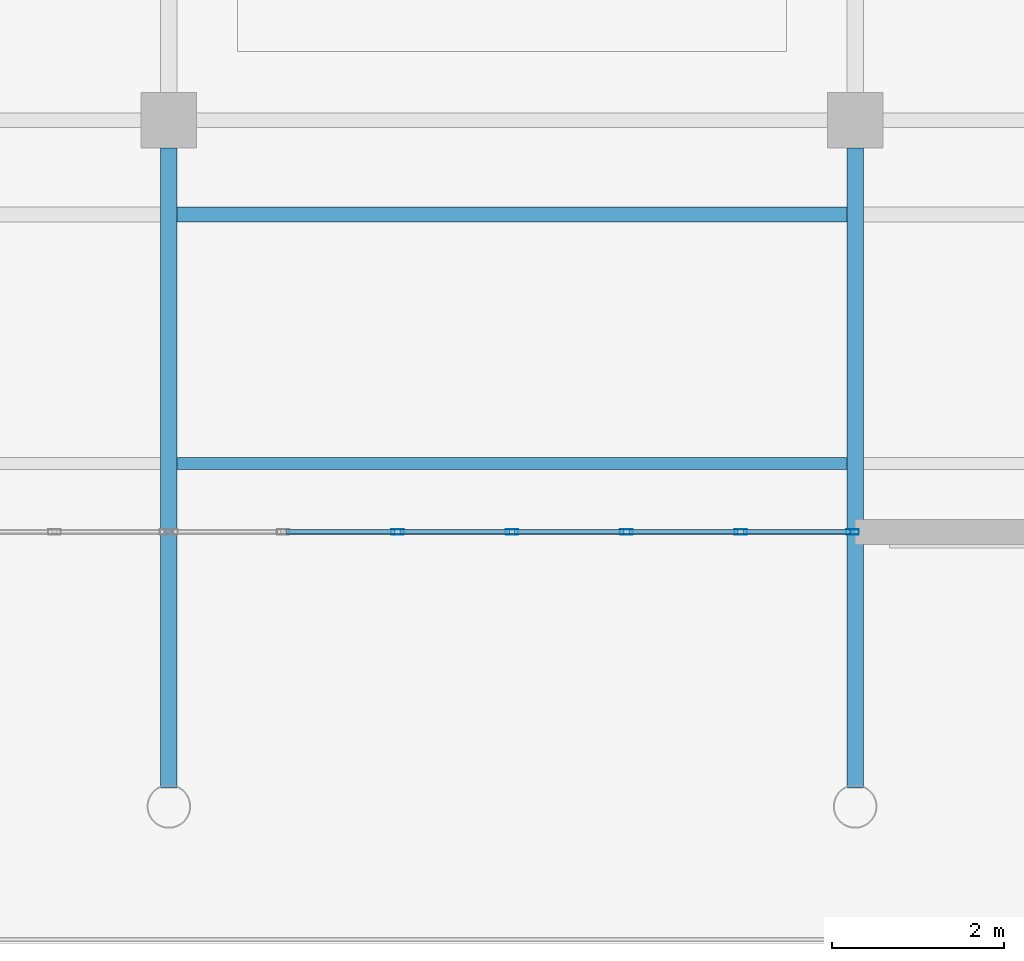
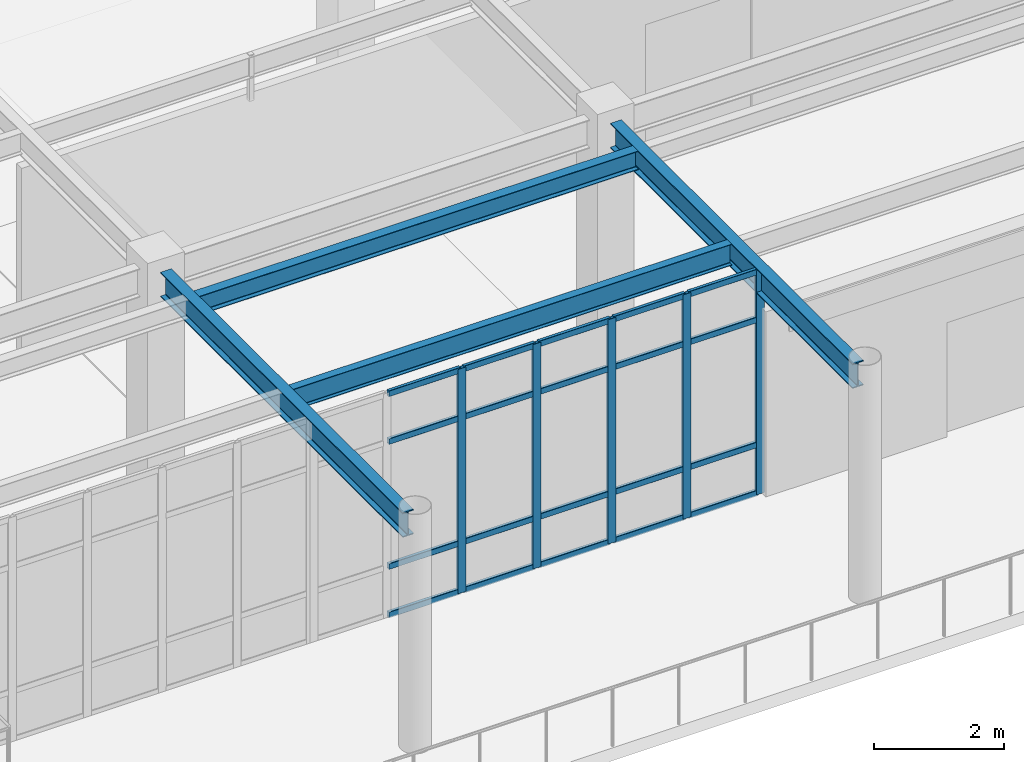
# One storey, part 33 of 75: 25 members, 4 beams, 1 element without a shape of its own.
"""IFC4 building model written with IfcOpenShell, lengths in metres."""

from ifc_helpers import new_model, si_unit, direction, frame, origin, origin_2d, place, context, subcontext, project, spatial, hollow_rectangle, i_section, extrude, material, material_profile, profile_set, type_object, element, aggregate, save


model = new_model("IFC4")

# Units and contexts
model_context = context("Model", 3, precision=1e-05, world=origin(), true_north=direction((0.0, 1.0)))
body_context = subcontext(model_context, "Body", "Model", "MODEL_VIEW")
ifc_project = project(units=[si_unit("LENGTHUNIT", "METRE"), si_unit("AREAUNIT", "SQUARE_METRE"), si_unit("VOLUMEUNIT", "CUBIC_METRE"), si_unit("PLANEANGLEUNIT", "RADIAN"), si_unit("MASSUNIT", "GRAM", prefix="KILO")], contexts=[model_context])

# Site, building, storey
site_placement = place(None, origin())
site = spatial("IfcSite", under=ifc_project, at=site_placement, CompositionType="ELEMENT")
building_placement = place(site_placement, origin())
building = spatial("IfcBuilding", under=site, at=building_placement, Name="Solmirada Galleria", CompositionType="ELEMENT")
storey_placement = place(building_placement, frame((0.0, 0.0, 19.39990234375)))
storey = spatial("IfcBuildingStorey", under=building, at=storey_placement, Name="L04", CompositionType="ELEMENT", Elevation=19.39990234375)

# Beams
ifc_material_1 = material(Name="Steel S355 / ASTM A992 Grade 50", Category="steel")
ifc_material_profile_1 = material_profile(ifc_material_1, i_section(OverallWidth=0.193115234375, OverallDepth=0.466064453125, WebThickness=0.011474609375, FlangeThickness=0.01904296875, FilletRadius=0.013916015625, at=origin_2d()), Name="W18X65")
ifc_profile_set_1 = profile_set([ifc_material_profile_1], Name="Steel S355 / ASTM A992 Grade 50")
beam_type_1 = type_object("IfcBeamType", Name="BM-GIRD-W18C", PredefinedType="BEAM", material=ifc_profile_set_1)
for number, where, z_axis, x_axis, name in (
    (1, (48.0, 88.21337890625, 4.027099609375), (0.0, 1.0, 0.0), (-1.0, 0.0, 0.0), "Primary girder L05 Y(48, 88..96)"),
    (2, (56.0, 88.21337890625, 4.027099609375), (0.0, 1.0, 0.0), (-1.0, 0.0, 0.0), "Primary girder L05 Y(56, 88..96)"),
):
    element("IfcBeam", number, at=place(storey_placement, frame(where, z_axis=z_axis, x_axis=x_axis)), inside=storey, type_object=beam_type_1, Name=name, PredefinedType="BEAM", context=body_context, shape_type="SweptSolid", body=[
        extrude(i_section(OverallWidth=0.193115234375, OverallDepth=0.466064453125, WebThickness=0.011474609375, FlangeThickness=0.01904296875, FilletRadius=0.013916015625, at=origin_2d()), origin(), (0.0, 0.0, 1.0), 7.461669921875),
    ])
ifc_material_profile_2 = material_profile(ifc_material_1, i_section(OverallWidth=0.1708984375, OverallDepth=0.35205078125, WebThickness=0.0068359375, FlangeThickness=0.009765625, FilletRadius=0.010986328125, at=origin_2d()), Name="W14X30")
ifc_profile_set_2 = profile_set([ifc_material_profile_2], Name="Steel S355 / ASTM A992 Grade 50")
beam_type_2 = type_object("IfcBeamType", Name="BM-JST-W14B", PredefinedType="JOIST", material=ifc_profile_set_2)
beam_1_placement = place(storey_placement, frame((48.096435546875, 94.89990234375, 4.083984375), z_axis=(1.0, 0.0, 0.0), x_axis=(0.0, 1.0, 0.0)))
element("IfcBeam", 3, at=beam_1_placement, inside=storey, type_object=beam_type_2, Name="Terrace deck joist L05-TERR-NW X=48..56 (2)", PredefinedType="JOIST", context=body_context, shape_type="SweptSolid", body=[
    extrude(i_section(OverallWidth=0.1708984375, OverallDepth=0.35205078125, WebThickness=0.0068359375, FlangeThickness=0.009765625, FilletRadius=0.010986328125, at=origin_2d()), origin(), (0.0, 0.0, 1.0), 7.80712890625),
])
ifc_material_profile_3 = material_profile(ifc_material_1, i_section(OverallWidth=0.139892578125, OverallDepth=0.39892578125, WebThickness=0.00634765625, FlangeThickness=0.0087890625, FilletRadius=0.010986328125, at=origin_2d()), Name="W16X26")
ifc_profile_set_3 = profile_set([ifc_material_profile_3], Name="Steel S355 / ASTM A992 Grade 50")
beam_type_3 = type_object("IfcBeamType", Name="BM-JST-W16C", PredefinedType="JOIST", material=ifc_profile_set_3)
beam_2_placement = place(storey_placement, frame((48.096435546875, 92.0, 4.060546875), z_axis=(1.0, 0.0, 0.0), x_axis=(0.0, 1.0, 0.0)))
element("IfcBeam", 4, at=beam_2_placement, inside=storey, type_object=beam_type_3, Name="Composite floor joist L05 (48..56, 92.0)", PredefinedType="JOIST", context=body_context, shape_type="SweptSolid", body=[
    extrude(i_section(OverallWidth=0.139892578125, OverallDepth=0.39892578125, WebThickness=0.00634765625, FlangeThickness=0.0087890625, FilletRadius=0.010986328125, at=origin_2d()), origin(), (0.0, 0.0, 1.0), 7.80712890625),
])

# Curtain wall, members
ifc_material_2 = material(Name="Impact-resistant low-E double glazing", Category="glass")
curtain_wall_type = type_object("IfcCurtainWallType", Name="CW-FZ4-L04-B6-L080", PredefinedType="NOTDEFINED", material=ifc_material_2)
curtain_wall_placement = place(storey_placement, origin())
curtain_wall = element("IfcCurtainWall", 5, at=curtain_wall_placement, inside=storey, type_object=curtain_wall_type, Name="Terrace and arcade storefront CW-L04-149", PredefinedType="NOTDEFINED")
ifc_material_3 = material(Name="Anodised aluminium framing", Category="aluminium")
ifc_material_profile_4 = material_profile(ifc_material_3, hollow_rectangle(XDim=0.06005859375, YDim=0.14990234375, WallThickness=0.00341796875, InnerFilletRadius=0.00341796875, OuterFilletRadius=0.007080078125, at=origin_2d()), Name="ALU-MULL-150X60")
ifc_profile_set_4 = profile_set([ifc_material_profile_4], Name="Anodised aluminium framing")
member_type_1 = type_object("IfcMemberType", Name="CW-MULL-150", PredefinedType="MULLION", material=ifc_profile_set_4)
member_1_placement = place(storey_placement, frame((55.969970703125, 91.199951171875, 0.0), z_axis=(0.0, 0.0, 1.0), x_axis=(0.0, -1.0, 0.0)))
member_1 = element("IfcMember", 6, at=member_1_placement, type_object=member_type_1, Name="CW31 mullion 1", PredefinedType="MULLION", context=body_context, shape_type="SweptSolid", body=[
    extrude(hollow_rectangle(XDim=0.06005859375, YDim=0.14990234375, WallThickness=0.00341796875, InnerFilletRadius=0.00341796875, OuterFilletRadius=0.007080078125, at=origin_2d()), origin(), (0.0, 0.0, 1.0), 4.22021484375),
])
member_2_placement = place(storey_placement, frame((54.666748046875, 91.199951171875, 0.0), z_axis=(0.0, 0.0, 1.0), x_axis=(0.0, -1.0, 0.0)))
member_2 = element("IfcMember", 7, at=member_2_placement, type_object=member_type_1, Name="CW31 mullion 2", PredefinedType="MULLION", context=body_context, shape_type="SweptSolid", body=[
    extrude(hollow_rectangle(XDim=0.06005859375, YDim=0.14990234375, WallThickness=0.00341796875, InnerFilletRadius=0.00341796875, OuterFilletRadius=0.007080078125, at=origin_2d()), origin(), (0.0, 0.0, 1.0), 4.22021484375),
])
member_3_placement = place(storey_placement, frame((53.333251953125, 91.199951171875, 0.0), z_axis=(0.0, 0.0, 1.0), x_axis=(0.0, -1.0, 0.0)))
member_3 = element("IfcMember", 8, at=member_3_placement, type_object=member_type_1, Name="CW31 mullion 3", PredefinedType="MULLION", context=body_context, shape_type="SweptSolid", body=[
    extrude(hollow_rectangle(XDim=0.06005859375, YDim=0.14990234375, WallThickness=0.00341796875, InnerFilletRadius=0.00341796875, OuterFilletRadius=0.007080078125, at=origin_2d()), origin(), (0.0, 0.0, 1.0), 4.22021484375),
])
member_4_placement = place(storey_placement, frame((52.0, 91.199951171875, 0.0), z_axis=(0.0, 0.0, 1.0), x_axis=(0.0, -1.0, 0.0)))
member_4 = element("IfcMember", 9, at=member_4_placement, type_object=member_type_1, Name="CW31 mullion 4", PredefinedType="MULLION", context=body_context, shape_type="SweptSolid", body=[
    extrude(hollow_rectangle(XDim=0.06005859375, YDim=0.14990234375, WallThickness=0.00341796875, InnerFilletRadius=0.00341796875, OuterFilletRadius=0.007080078125, at=origin_2d()), origin(), (0.0, 0.0, 1.0), 4.22021484375),
])
member_5_placement = place(storey_placement, frame((50.666748046875, 91.199951171875, 0.0), z_axis=(0.0, 0.0, 1.0), x_axis=(0.0, -1.0, 0.0)))
member_5 = element("IfcMember", 10, at=member_5_placement, type_object=member_type_1, Name="CW31 mullion 5", PredefinedType="MULLION", context=body_context, shape_type="SweptSolid", body=[
    extrude(hollow_rectangle(XDim=0.06005859375, YDim=0.14990234375, WallThickness=0.00341796875, InnerFilletRadius=0.00341796875, OuterFilletRadius=0.007080078125, at=origin_2d()), origin(), (0.0, 0.0, 1.0), 4.22021484375),
])
ifc_material_profile_5 = material_profile(ifc_material_3, hollow_rectangle(XDim=0.06005859375, YDim=0.110107421875, WallThickness=0.003173828125, InnerFilletRadius=0.003173828125, OuterFilletRadius=0.00634765625, at=origin_2d()), Name="ALU-TRAN-110X60")
ifc_profile_set_5 = profile_set([ifc_material_profile_5], Name="Anodised aluminium framing")
member_type_2 = type_object("IfcMemberType", Name="CW-TRAN-110", PredefinedType="USERDEFINED", material=ifc_profile_set_5)
member_6_placement = place(storey_placement, frame((55.93994140625, 91.199951171875, 0.030029296875), z_axis=(-1.0, 0.0, 0.0), x_axis=(0.0, -1.0, 0.0)))
member_6 = element("IfcMember", 11, at=member_6_placement, type_object=member_type_2, Name="CW31 transom 1.1", ObjectType="TRANSOM", PredefinedType="USERDEFINED", context=body_context, shape_type="SweptSolid", body=[
    extrude(hollow_rectangle(XDim=0.06005859375, YDim=0.110107421875, WallThickness=0.003173828125, InnerFilletRadius=0.003173828125, OuterFilletRadius=0.00634765625, at=origin_2d()), origin(), (0.0, 0.0, 1.0), 1.2431640625),
])
member_7_placement = place(storey_placement, frame((55.93994140625, 91.199951171875, 0.940185546875), z_axis=(-1.0, 0.0, 0.0), x_axis=(0.0, -1.0, 0.0)))
member_7 = element("IfcMember", 12, at=member_7_placement, type_object=member_type_2, Name="CW31 transom 1.2", ObjectType="TRANSOM", PredefinedType="USERDEFINED", context=body_context, shape_type="SweptSolid", body=[
    extrude(hollow_rectangle(XDim=0.06005859375, YDim=0.110107421875, WallThickness=0.003173828125, InnerFilletRadius=0.003173828125, OuterFilletRadius=0.00634765625, at=origin_2d()), origin(), (0.0, 0.0, 1.0), 1.2431640625),
])
member_8_placement = place(storey_placement, frame((55.93994140625, 91.199951171875, 3.2900390625), z_axis=(-1.0, 0.0, 0.0), x_axis=(0.0, -1.0, 0.0)))
member_8 = element("IfcMember", 13, at=member_8_placement, type_object=member_type_2, Name="CW31 transom 1.3", ObjectType="TRANSOM", PredefinedType="USERDEFINED", context=body_context, shape_type="SweptSolid", body=[
    extrude(hollow_rectangle(XDim=0.06005859375, YDim=0.110107421875, WallThickness=0.003173828125, InnerFilletRadius=0.003173828125, OuterFilletRadius=0.00634765625, at=origin_2d()), origin(), (0.0, 0.0, 1.0), 1.2431640625),
])
member_9_placement = place(storey_placement, frame((55.93994140625, 91.199951171875, 4.190185546875), z_axis=(-1.0, 0.0, 0.0), x_axis=(0.0, -1.0, 0.0)))
member_9 = element("IfcMember", 14, at=member_9_placement, type_object=member_type_2, Name="CW31 transom 1.4", ObjectType="TRANSOM", PredefinedType="USERDEFINED", context=body_context, shape_type="SweptSolid", body=[
    extrude(hollow_rectangle(XDim=0.06005859375, YDim=0.110107421875, WallThickness=0.003173828125, InnerFilletRadius=0.003173828125, OuterFilletRadius=0.00634765625, at=origin_2d()), origin(), (0.0, 0.0, 1.0), 1.2431640625),
])
member_10_placement = place(storey_placement, frame((54.63671875, 91.199951171875, 0.030029296875), z_axis=(-1.0, 0.0, 0.0), x_axis=(0.0, -1.0, 0.0)))
member_10 = element("IfcMember", 15, at=member_10_placement, type_object=member_type_2, Name="CW31 transom 2.1", ObjectType="TRANSOM", PredefinedType="USERDEFINED", context=body_context, shape_type="SweptSolid", body=[
    extrude(hollow_rectangle(XDim=0.06005859375, YDim=0.110107421875, WallThickness=0.003173828125, InnerFilletRadius=0.003173828125, OuterFilletRadius=0.00634765625, at=origin_2d()), origin(), (0.0, 0.0, 1.0), 1.2734375),
])
member_11_placement = place(storey_placement, frame((54.63671875, 91.199951171875, 0.940185546875), z_axis=(-1.0, 0.0, 0.0), x_axis=(0.0, -1.0, 0.0)))
member_11 = element("IfcMember", 16, at=member_11_placement, type_object=member_type_2, Name="CW31 transom 2.2", ObjectType="TRANSOM", PredefinedType="USERDEFINED", context=body_context, shape_type="SweptSolid", body=[
    extrude(hollow_rectangle(XDim=0.06005859375, YDim=0.110107421875, WallThickness=0.003173828125, InnerFilletRadius=0.003173828125, OuterFilletRadius=0.00634765625, at=origin_2d()), origin(), (0.0, 0.0, 1.0), 1.2734375),
])
member_12_placement = place(storey_placement, frame((54.63671875, 91.199951171875, 3.2900390625), z_axis=(-1.0, 0.0, 0.0), x_axis=(0.0, -1.0, 0.0)))
member_12 = element("IfcMember", 17, at=member_12_placement, type_object=member_type_2, Name="CW31 transom 2.3", ObjectType="TRANSOM", PredefinedType="USERDEFINED", context=body_context, shape_type="SweptSolid", body=[
    extrude(hollow_rectangle(XDim=0.06005859375, YDim=0.110107421875, WallThickness=0.003173828125, InnerFilletRadius=0.003173828125, OuterFilletRadius=0.00634765625, at=origin_2d()), origin(), (0.0, 0.0, 1.0), 1.2734375),
])
member_13_placement = place(storey_placement, frame((54.63671875, 91.199951171875, 4.190185546875), z_axis=(-1.0, 0.0, 0.0), x_axis=(0.0, -1.0, 0.0)))
member_13 = element("IfcMember", 18, at=member_13_placement, type_object=member_type_2, Name="CW31 transom 2.4", ObjectType="TRANSOM", PredefinedType="USERDEFINED", context=body_context, shape_type="SweptSolid", body=[
    extrude(hollow_rectangle(XDim=0.06005859375, YDim=0.110107421875, WallThickness=0.003173828125, InnerFilletRadius=0.003173828125, OuterFilletRadius=0.00634765625, at=origin_2d()), origin(), (0.0, 0.0, 1.0), 1.2734375),
])
member_14_placement = place(storey_placement, frame((53.30322265625, 91.199951171875, 0.030029296875), z_axis=(-1.0, 0.0, 0.0), x_axis=(0.0, -1.0, 0.0)))
member_14 = element("IfcMember", 19, at=member_14_placement, type_object=member_type_2, Name="CW31 transom 3.1", ObjectType="TRANSOM", PredefinedType="USERDEFINED", context=body_context, shape_type="SweptSolid", body=[
    extrude(hollow_rectangle(XDim=0.06005859375, YDim=0.110107421875, WallThickness=0.003173828125, InnerFilletRadius=0.003173828125, OuterFilletRadius=0.00634765625, at=origin_2d()), origin(), (0.0, 0.0, 1.0), 1.273193359375),
])
member_15_placement = place(storey_placement, frame((53.30322265625, 91.199951171875, 0.940185546875), z_axis=(-1.0, 0.0, 0.0), x_axis=(0.0, -1.0, 0.0)))
member_15 = element("IfcMember", 20, at=member_15_placement, type_object=member_type_2, Name="CW31 transom 3.2", ObjectType="TRANSOM", PredefinedType="USERDEFINED", context=body_context, shape_type="SweptSolid", body=[
    extrude(hollow_rectangle(XDim=0.06005859375, YDim=0.110107421875, WallThickness=0.003173828125, InnerFilletRadius=0.003173828125, OuterFilletRadius=0.00634765625, at=origin_2d()), origin(), (0.0, 0.0, 1.0), 1.273193359375),
])
member_16_placement = place(storey_placement, frame((53.30322265625, 91.199951171875, 3.2900390625), z_axis=(-1.0, 0.0, 0.0), x_axis=(0.0, -1.0, 0.0)))
member_16 = element("IfcMember", 21, at=member_16_placement, type_object=member_type_2, Name="CW31 transom 3.3", ObjectType="TRANSOM", PredefinedType="USERDEFINED", context=body_context, shape_type="SweptSolid", body=[
    extrude(hollow_rectangle(XDim=0.06005859375, YDim=0.110107421875, WallThickness=0.003173828125, InnerFilletRadius=0.003173828125, OuterFilletRadius=0.00634765625, at=origin_2d()), origin(), (0.0, 0.0, 1.0), 1.273193359375),
])
member_17_placement = place(storey_placement, frame((53.30322265625, 91.199951171875, 4.190185546875), z_axis=(-1.0, 0.0, 0.0), x_axis=(0.0, -1.0, 0.0)))
member_17 = element("IfcMember", 22, at=member_17_placement, type_object=member_type_2, Name="CW31 transom 3.4", ObjectType="TRANSOM", PredefinedType="USERDEFINED", context=body_context, shape_type="SweptSolid", body=[
    extrude(hollow_rectangle(XDim=0.06005859375, YDim=0.110107421875, WallThickness=0.003173828125, InnerFilletRadius=0.003173828125, OuterFilletRadius=0.00634765625, at=origin_2d()), origin(), (0.0, 0.0, 1.0), 1.273193359375),
])
member_18_placement = place(storey_placement, frame((51.969970703125, 91.199951171875, 0.030029296875), z_axis=(-1.0, 0.0, 0.0), x_axis=(0.0, -1.0, 0.0)))
member_18 = element("IfcMember", 23, at=member_18_placement, type_object=member_type_2, Name="CW31 transom 4.1", ObjectType="TRANSOM", PredefinedType="USERDEFINED", context=body_context, shape_type="SweptSolid", body=[
    extrude(hollow_rectangle(XDim=0.06005859375, YDim=0.110107421875, WallThickness=0.003173828125, InnerFilletRadius=0.003173828125, OuterFilletRadius=0.00634765625, at=origin_2d()), origin(), (0.0, 0.0, 1.0), 1.273193359375),
])
member_19_placement = place(storey_placement, frame((51.969970703125, 91.199951171875, 0.940185546875), z_axis=(-1.0, 0.0, 0.0), x_axis=(0.0, -1.0, 0.0)))
member_19 = element("IfcMember", 24, at=member_19_placement, type_object=member_type_2, Name="CW31 transom 4.2", ObjectType="TRANSOM", PredefinedType="USERDEFINED", context=body_context, shape_type="SweptSolid", body=[
    extrude(hollow_rectangle(XDim=0.06005859375, YDim=0.110107421875, WallThickness=0.003173828125, InnerFilletRadius=0.003173828125, OuterFilletRadius=0.00634765625, at=origin_2d()), origin(), (0.0, 0.0, 1.0), 1.273193359375),
])
member_20_placement = place(storey_placement, frame((51.969970703125, 91.199951171875, 3.2900390625), z_axis=(-1.0, 0.0, 0.0), x_axis=(0.0, -1.0, 0.0)))
member_20 = element("IfcMember", 25, at=member_20_placement, type_object=member_type_2, Name="CW31 transom 4.3", ObjectType="TRANSOM", PredefinedType="USERDEFINED", context=body_context, shape_type="SweptSolid", body=[
    extrude(hollow_rectangle(XDim=0.06005859375, YDim=0.110107421875, WallThickness=0.003173828125, InnerFilletRadius=0.003173828125, OuterFilletRadius=0.00634765625, at=origin_2d()), origin(), (0.0, 0.0, 1.0), 1.273193359375),
])
member_21_placement = place(storey_placement, frame((51.969970703125, 91.199951171875, 4.190185546875), z_axis=(-1.0, 0.0, 0.0), x_axis=(0.0, -1.0, 0.0)))
member_21 = element("IfcMember", 26, at=member_21_placement, type_object=member_type_2, Name="CW31 transom 4.4", ObjectType="TRANSOM", PredefinedType="USERDEFINED", context=body_context, shape_type="SweptSolid", body=[
    extrude(hollow_rectangle(XDim=0.06005859375, YDim=0.110107421875, WallThickness=0.003173828125, InnerFilletRadius=0.003173828125, OuterFilletRadius=0.00634765625, at=origin_2d()), origin(), (0.0, 0.0, 1.0), 1.273193359375),
])
member_22_placement = place(storey_placement, frame((50.63671875, 91.199951171875, 0.030029296875), z_axis=(-1.0, 0.0, 0.0), x_axis=(0.0, -1.0, 0.0)))
member_22 = element("IfcMember", 27, at=member_22_placement, type_object=member_type_2, Name="CW31 transom 5.1", ObjectType="TRANSOM", PredefinedType="USERDEFINED", context=body_context, shape_type="SweptSolid", body=[
    extrude(hollow_rectangle(XDim=0.06005859375, YDim=0.110107421875, WallThickness=0.003173828125, InnerFilletRadius=0.003173828125, OuterFilletRadius=0.00634765625, at=origin_2d()), origin(), (0.0, 0.0, 1.0), 1.2734375),
])
member_23_placement = place(storey_placement, frame((50.63671875, 91.199951171875, 0.940185546875), z_axis=(-1.0, 0.0, 0.0), x_axis=(0.0, -1.0, 0.0)))
member_23 = element("IfcMember", 28, at=member_23_placement, type_object=member_type_2, Name="CW31 transom 5.2", ObjectType="TRANSOM", PredefinedType="USERDEFINED", context=body_context, shape_type="SweptSolid", body=[
    extrude(hollow_rectangle(XDim=0.06005859375, YDim=0.110107421875, WallThickness=0.003173828125, InnerFilletRadius=0.003173828125, OuterFilletRadius=0.00634765625, at=origin_2d()), origin(), (0.0, 0.0, 1.0), 1.2734375),
])
member_24_placement = place(storey_placement, frame((50.63671875, 91.199951171875, 3.2900390625), z_axis=(-1.0, 0.0, 0.0), x_axis=(0.0, -1.0, 0.0)))
member_24 = element("IfcMember", 29, at=member_24_placement, type_object=member_type_2, Name="CW31 transom 5.3", ObjectType="TRANSOM", PredefinedType="USERDEFINED", context=body_context, shape_type="SweptSolid", body=[
    extrude(hollow_rectangle(XDim=0.06005859375, YDim=0.110107421875, WallThickness=0.003173828125, InnerFilletRadius=0.003173828125, OuterFilletRadius=0.00634765625, at=origin_2d()), origin(), (0.0, 0.0, 1.0), 1.2734375),
])
member_25_placement = place(storey_placement, frame((50.63671875, 91.199951171875, 4.190185546875), z_axis=(-1.0, 0.0, 0.0), x_axis=(0.0, -1.0, 0.0)))
member_25 = element("IfcMember", 30, at=member_25_placement, type_object=member_type_2, Name="CW31 transom 5.4", ObjectType="TRANSOM", PredefinedType="USERDEFINED", context=body_context, shape_type="SweptSolid", body=[
    extrude(hollow_rectangle(XDim=0.06005859375, YDim=0.110107421875, WallThickness=0.003173828125, InnerFilletRadius=0.003173828125, OuterFilletRadius=0.00634765625, at=origin_2d()), origin(), (0.0, 0.0, 1.0), 1.2734375),
])
aggregate(curtain_wall, [member_1, member_2, member_3, member_4, member_5, member_6, member_7, member_8, member_9, member_10, member_11, member_12, member_13, member_14, member_15, member_16, member_17, member_18, member_19, member_20, member_21, member_22, member_23, member_24, member_25])

save(model, "model.ifc")
